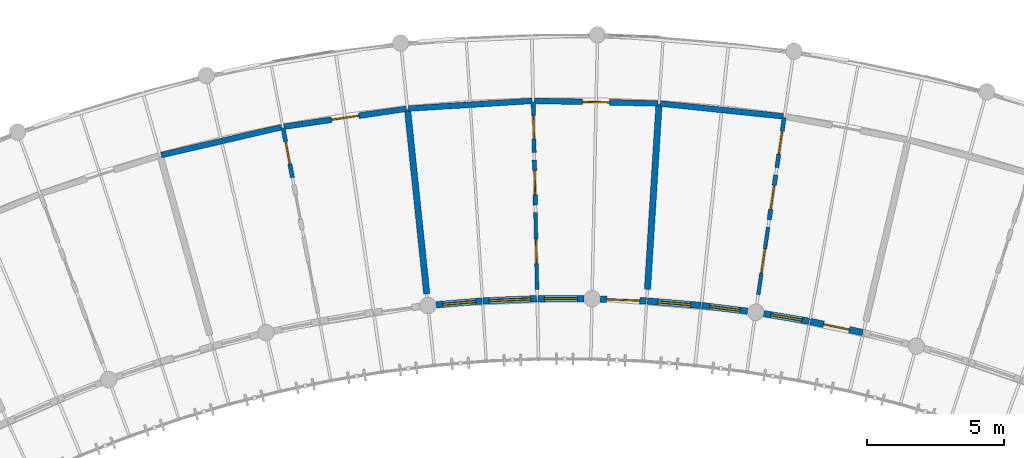
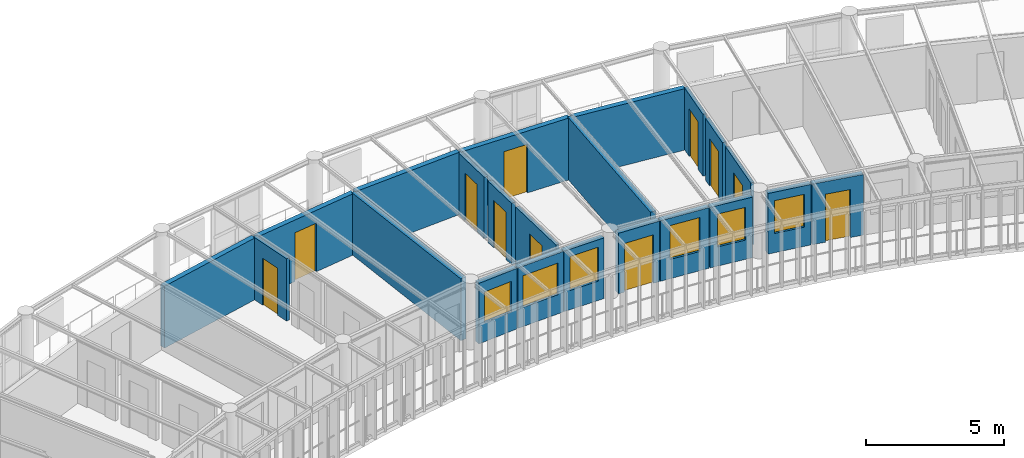
# One storey, part 74 of 101: 22 walls, 11 doors, 6 windows, 17 openings.
"""IFC4 building model written with IfcOpenShell, lengths in metres."""

import ifcopenshell
import ifcopenshell.guid

model = None  # the IFC model being written
_history = None  # IfcOwnerHistory: only IFC2X3 demands one
_inside = {}  # id of a spatial element -> (the spatial element, [elements in it])
_under = {}  # id of a project, library or spatial element -> (it, [spatial elements below it])
_declared = {}  # id of a project -> (the project, [libraries it declares])
_typed = {}  # id of a type object -> (the type object, [elements of that type])
_made_of = {}  # id of a material, layer set ... -> (it, [elements and type objects made of it])


def new_model(schema):
    """Start an empty IFC model of exactly this schema.

    Asked for "IFC4X3", IfcOpenShell would pick the latest addendum, in which some entities
    have other attributes; the version numbers below select the first issue.
    IFC2X3 requires an IfcOwnerHistory on every rooted entity: one is made here for all.
    """
    global model, _history
    if schema == "IFC4X3":
        model = ifcopenshell.file(schema_version=(4, 3, 0, 0))
    else:
        model = ifcopenshell.file(schema=schema)
    _inside.clear()
    _under.clear()
    _declared.clear()
    _typed.clear()
    _made_of.clear()
    _history = None
    if model.schema == "IFC2X3":
        org = make("IfcOrganization", Name="unknown")
        user = make(
            "IfcPersonAndOrganization",
            ThePerson=make("IfcPerson", FamilyName="unknown"),
            TheOrganization=org,
        )
        app = make(
            "IfcApplication",
            ApplicationDeveloper=org,
            Version="unknown",
            ApplicationFullName="unknown",
            ApplicationIdentifier="unknown",
        )
        _history = make(
            "IfcOwnerHistory",
            OwningUser=user,
            OwningApplication=app,
            ChangeAction="ADDED",
            CreationDate=0,
        )
    return model


def make(cls, **values):
    """One entity of the class cls with the attributes given. An attribute that is None is left unset."""
    return model.create_entity(
        cls, **{name: value for name, value in values.items() if value is not None}
    )


def rooted(cls, **values):
    """An entity with a GlobalId (a new one), such as an element, a storey or a relation."""
    return make(cls, GlobalId=ifcopenshell.guid.new(), OwnerHistory=_history, **values)


def si_unit(unit_type, name, prefix=None):
    """IfcSIUnit, for example si_unit("LENGTHUNIT", "METRE", prefix="MILLI")."""
    return make("IfcSIUnit", UnitType=unit_type, Prefix=prefix, Name=name)


def assignment(units):
    """IfcUnitAssignment: the units of a project."""
    return None if units is None else make("IfcUnitAssignment", Units=units)


def point(xyz):
    """IfcCartesianPoint."""
    return None if xyz is None else make("IfcCartesianPoint", Coordinates=xyz)


def direction(xyz):
    """IfcDirection."""
    return None if xyz is None else make("IfcDirection", DirectionRatios=xyz)


def frame(location, z_axis=None, x_axis=None):
    """IfcAxis2Placement3D, a coordinate frame: its origin and axes. An axis left out is left unset."""
    return make(
        "IfcAxis2Placement3D",
        Location=point(location),
        Axis=direction(z_axis),
        RefDirection=direction(x_axis),
    )


def frame_2d(location, x_axis=None):
    """IfcAxis2Placement2D, a coordinate frame in the plane: its origin and x axis."""
    return make(
        "IfcAxis2Placement2D", Location=point(location), RefDirection=direction(x_axis)
    )


def origin():
    """The frame at (0, 0, 0) with its axes left unset."""
    return frame((0.0, 0.0, 0.0))


def place(relative_to, where):
    """IfcLocalPlacement: puts the frame where relative to a parent placement (None: the world)."""
    return make(
        "IfcLocalPlacement", PlacementRelTo=relative_to, RelativePlacement=where
    )


def context(
    kind, dimensions, precision=None, world=None, true_north=None, identifier=None
):
    """IfcGeometricRepresentationContext, for example the 3D "Model" context."""
    return make(
        "IfcGeometricRepresentationContext",
        ContextIdentifier=identifier,
        ContextType=kind,
        CoordinateSpaceDimension=dimensions,
        Precision=precision,
        WorldCoordinateSystem=world,
        TrueNorth=true_north,
    )


def subcontext(parent, identifier, kind, view, scale=None):
    """IfcGeometricRepresentationSubContext, for example "Body" below "Model"."""
    return make(
        "IfcGeometricRepresentationSubContext",
        ContextIdentifier=identifier,
        ContextType=kind,
        ParentContext=parent,
        TargetScale=scale,
        TargetView=view,
    )


def project(units=None, contexts=None):
    """IfcProject with its units and contexts."""
    return rooted(
        "IfcProject",
        Name="project",
        RepresentationContexts=contexts,
        UnitsInContext=assignment(units),
    )


def spatial(cls, under=None, at=None, **own):
    """A site, building, storey or space (cls), placed at a placement, below another one or the project."""
    s = rooted(cls, ObjectPlacement=at, **own)
    if under is not None:
        _under.setdefault(under.id(), (under, []))[1].append(s)
    return s


def profile(cls, at=None, kind="AREA", **sizes):
    """A parametric profile (cls). Its sizes go by their IFC names, for example OverallWidth=200.0."""
    return make(cls, ProfileType=kind, Position=at, **sizes)


def rectangle(**sizes):
    """IfcRectangleProfileDef."""
    return profile("IfcRectangleProfileDef", **sizes)


def extrude(swept, where, along, depth):
    """IfcExtrudedAreaSolid: the profile swept, set in the frame where, extruded along a direction by depth."""
    return make(
        "IfcExtrudedAreaSolid",
        SweptArea=swept,
        Position=where,
        ExtrudedDirection=direction(along),
        Depth=depth,
    )


def shape(context_of_items, identifier, shape_type, items):
    """IfcShapeRepresentation: the items that make up one representation, for example the "Body"."""
    return make(
        "IfcShapeRepresentation",
        ContextOfItems=context_of_items,
        RepresentationIdentifier=identifier,
        RepresentationType=shape_type,
        Items=items,
    )


def material(Name=None, Category=None):
    """IfcMaterial."""
    return make("IfcMaterial", Name=Name, Category=Category)


def layer(
    of_material, thickness, ventilated=None, Name=None, Category=None, Priority=None
):
    """IfcMaterialLayer: one layer of a wall or slab, of a material (None: an air gap)."""
    return make(
        "IfcMaterialLayer",
        Material=of_material,
        LayerThickness=thickness,
        IsVentilated=ventilated,
        Name=Name,
        Category=Category,
        Priority=Priority,
    )


def layer_set(layers, Name=None):
    """IfcMaterialLayerSet."""
    return make("IfcMaterialLayerSet", MaterialLayers=layers, LayerSetName=Name)


def made_of(thing, what):
    """Note that an element or type object is made of a material, layer set ...; save() writes the relation."""
    if what is not None:
        _made_of.setdefault(what.id(), (what, []))[1].append(thing)
    return thing


def type_object(cls, material=None, **own):
    """A type object (cls), such as IfcWallType, which elements share."""
    return made_of(rooted(cls, **own), material)


def element(
    cls,
    number,
    at=None,
    inside=None,
    cuts=None,
    type_object=None,
    material=None,
    context=None,
    identifier="Body",
    shape_type=None,
    held_by="IfcProductDefinitionShape",
    body=None,
    shapes=None,
    **own,
):
    """One element of the class cls, such as IfcWall. Its Tag is "e" and its number.

    at: its placement. inside: the storey or other place that contains it. cuts: it is an
    opening in that element (IfcRelVoidsElement). A single representation is given by context,
    identifier, shape_type and body (its items); several are given by shapes. held_by: the class
    of the entity that holds the representations. save() writes the other relations.
    """
    e = rooted(cls, Tag="e%d" % number, ObjectPlacement=at, **own)
    if body is not None:
        shapes = [shape(context, identifier, shape_type, body)]
    if shapes is not None:
        e.Representation = make(held_by, Representations=shapes)
    if inside is not None:
        _inside.setdefault(inside.id(), (inside, []))[1].append(e)
    if cuts is not None:
        rooted(
            "IfcRelVoidsElement", RelatingBuildingElement=cuts, RelatedOpeningElement=e
        )
    if type_object is not None:
        _typed.setdefault(type_object.id(), (type_object, []))[1].append(e)
    return made_of(e, material)


def fill(opening, filler):
    """IfcRelFillsElement: the door or window that sits in an opening."""
    return rooted(
        "IfcRelFillsElement",
        RelatingOpeningElement=opening,
        RelatedBuildingElement=filler,
    )


def aggregate(whole, parts):
    """IfcRelAggregates: a whole, such as a stair, and the parts it consists of."""
    return rooted("IfcRelAggregates", RelatingObject=whole, RelatedObjects=parts)


def save(model, path):
    """Write the relations noted so far, then the file.

    IfcRelAggregates (storeys below a building ...), IfcRelContainedInSpatialStructure (elements
    in a storey), IfcRelDefinesByType, IfcRelAssociatesMaterial and IfcRelDeclares: one each for
    every whole, place, type object, material and project.
    """
    for whole, parts in _under.values():
        aggregate(whole, parts)
    for where, things in _inside.values():
        rooted(
            "IfcRelContainedInSpatialStructure",
            RelatedElements=things,
            RelatingStructure=where,
        )
    for kind, things in _typed.values():
        rooted("IfcRelDefinesByType", RelatedObjects=things, RelatingType=kind)
    for what, things in _made_of.values():
        rooted("IfcRelAssociatesMaterial", RelatedObjects=things, RelatingMaterial=what)
    for by, libraries in _declared.values():
        rooted("IfcRelDeclares", RelatingContext=by, RelatedDefinitions=libraries)
    model.write(path)


model = new_model("IFC4")

# Units and contexts
model_context = context("Model", 3, precision=1e-05, world=origin(), true_north=direction((0.0, 1.0)))
body_context = subcontext(model_context, "Body", "Model", "MODEL_VIEW")
ifc_project = project(units=[si_unit("LENGTHUNIT", "METRE"), si_unit("AREAUNIT", "SQUARE_METRE"), si_unit("VOLUMEUNIT", "CUBIC_METRE"), si_unit("PLANEANGLEUNIT", "RADIAN"), si_unit("MASSUNIT", "GRAM", prefix="KILO"), si_unit("POWERUNIT", "WATT"), si_unit("THERMODYNAMICTEMPERATUREUNIT", "KELVIN")], contexts=[model_context])

# Site, building, storey
site_placement = place(None, origin())
site = spatial("IfcSite", under=ifc_project, at=site_placement, CompositionType="ELEMENT")
building_placement = place(site_placement, origin())
building = spatial("IfcBuilding", under=site, at=building_placement, Name="Ruvembo Vaulted Housing Court", CompositionType="ELEMENT")
storey_placement = place(building_placement, frame((0.0, 0.0, 17.300048828125)))
storey = spatial("IfcBuildingStorey", under=building, at=storey_placement, Name="L05", CompositionType="ELEMENT", Elevation=17.300048828125)

# Wall
ifc_material_1 = material(Name="Concrete Blockwork 210", Category="masonry")
ifc_layer_1 = layer(ifc_material_1, 0.2099609375, Name="Concrete Blockwork 210")
ifc_layer_set_1 = layer_set([ifc_layer_1], Name="Concrete Blockwork 210")
wall_type_1 = type_object("IfcWallType", Name="WL-CORR-210", PredefinedType="SOLIDWALL", material=ifc_layer_set_1)
wall_1_placement = place(storey_placement, frame((102.324951171875, 103.2119140625, 0.0), z_axis=(0.0, 0.0, 1.0), x_axis=(0.974052809246, 0.226320844821, 0.0)))
element("IfcWall", 1, at=wall_1_placement, inside=storey, type_object=wall_type_1, Name="L05 Suite SC3-L05-U3 Gallery Wall WL-INT-L05-01660", PredefinedType="SOLIDWALL", context=body_context, shape_type="SweptSolid", body=[
    extrude(rectangle(XDim=4.50146484375, YDim=0.2099609375, at=frame_2d((2.250732421875, 0.0))), origin(), (0.0, 0.0, 1.0), 2.73388671875),
])

# Wall, opening, door
wall_2_placement = place(storey_placement, frame((106.7880859375, 104.24560546875, 0.0), z_axis=(0.0, 0.0, 1.0), x_axis=(0.98946769641, 0.14475385232, 0.0)))
wall_2 = element("IfcWall", 2, at=wall_2_placement, inside=storey, type_object=wall_type_1, Name="L05 Suite SC3-L05-U3 Entrance WL-INT-L05-01661", PredefinedType="SOLIDWALL", context=body_context, shape_type="SweptSolid", body=[
    extrude(rectangle(XDim=4.50146484375, YDim=0.2099609375, at=frame_2d((2.250732421875, 0.0))), origin(), (0.0, 0.0, 1.0), 2.7138671875),
])
opening_1_placement = place(wall_2_placement, frame((1.750732421875, 0.0, 0.0)))
opening_1 = element("IfcOpeningElement", 3, at=opening_1_placement, cuts=wall_2, Name="Opening FD1", PredefinedType="OPENING", context=body_context, shape_type="SweptSolid", body=[
    extrude(rectangle(XDim=1.0, YDim=2.14990234375, at=frame_2d((0.5, 1.074951171875))), frame((0.0, 0.114990234375, 0.0), z_axis=(0.0, -1.0, 0.0), x_axis=(1.0, 0.0, 0.0)), (0.0, 0.0, 1.0), 0.22998046875),
])
ifc_material_2 = material(Name="FSC Hardwood and Engineered Timber", Category="wood")
door_type_1 = type_object("IfcDoorType", Name="DR-FLAT-1000x2150", OperationType="NOTDEFINED", PredefinedType="DOOR", material=ifc_material_2)
door_1_placement = place(opening_1_placement, origin())
door_1 = element("IfcDoor", 4, at=door_1_placement, inside=storey, type_object=door_type_1, Name="L05 Suite SC3-L05-U3 Entrance Door DR-INT-L05-00939", OperationType="SINGLE_SWING_LEFT", OverallHeight=2.14990234375, OverallWidth=1.0, PredefinedType="DOOR", context=body_context, shape_type="SweptSolid", body=[
    extrude(rectangle(XDim=1.0, YDim=2.14990234375, at=frame_2d((0.5, 1.074951171875))), frame((0.0, 0.02490234375, 0.0), z_axis=(0.0, -1.0, 0.0), x_axis=(1.0, 0.0, 0.0)), (0.0, 0.0, 1.0), 0.050048828125),
])
fill(opening_1, door_1)

# Wall
wall_3_placement = place(storey_placement, frame((111.32177734375, 104.905517578125, 0.0), z_axis=(0.0, 0.0, 1.0), x_axis=(0.998063116084, 0.062209455176, 0.0)))
element("IfcWall", 5, at=wall_3_placement, inside=storey, type_object=wall_type_1, Name="L05 Suite SC3-L05-U4 Gallery Wall WL-INT-L05-01666", PredefinedType="SOLIDWALL", context=body_context, shape_type="SweptSolid", body=[
    extrude(rectangle(XDim=4.50146484375, YDim=0.2099609375, at=frame_2d((2.250732421875, 0.0))), origin(), (0.0, 0.0, 1.0), 2.75390625),
])

# Wall, opening, door
wall_4_placement = place(storey_placement, frame((115.894287109375, 105.187255859375, 0.0), z_axis=(0.0, 0.0, 1.0), x_axis=(0.999785356511, -0.020718129879, 0.0)))
wall_4 = element("IfcWall", 6, at=wall_4_placement, inside=storey, type_object=wall_type_1, Name="L05 Suite SC3-L05-U4 Entrance WL-INT-L05-01667", PredefinedType="SOLIDWALL", context=body_context, shape_type="SweptSolid", body=[
    extrude(rectangle(XDim=4.50146484375, YDim=0.2099609375, at=frame_2d((2.250732421875, 0.0))), origin(), (0.0, 0.0, 1.0), 2.73388671875),
])
opening_2_placement = place(wall_4_placement, frame((1.7607421875, 0.0, 0.0)))
opening_2 = element("IfcOpeningElement", 7, at=opening_2_placement, cuts=wall_4, Name="Opening FD2", PredefinedType="OPENING", context=body_context, shape_type="SweptSolid", body=[
    extrude(rectangle(XDim=0.97998046875, YDim=2.14990234375, at=frame_2d((0.489990234375, 1.074951171875))), frame((0.0, 0.114990234375, 0.0), z_axis=(0.0, -1.0, 0.0), x_axis=(1.0, 0.0, 0.0)), (0.0, 0.0, 1.0), 0.22998046875),
])
door_type_2 = type_object("IfcDoorType", Name="DR-FLAT-0980x2150", OperationType="NOTDEFINED", PredefinedType="DOOR", material=ifc_material_2)
door_2_placement = place(opening_2_placement, origin())
door_2 = element("IfcDoor", 8, at=door_2_placement, inside=storey, type_object=door_type_2, Name="L05 Suite SC3-L05-U4 Entrance Door DR-INT-L05-00943", OperationType="SINGLE_SWING_LEFT", OverallHeight=2.14990234375, OverallWidth=0.97998046875, PredefinedType="DOOR", context=body_context, shape_type="SweptSolid", body=[
    extrude(rectangle(XDim=0.97998046875, YDim=2.14990234375, at=frame_2d((0.489990234375, 1.074951171875))), frame((0.0, 0.02490234375, 0.0), z_axis=(0.0, -1.0, 0.0), x_axis=(1.0, 0.0, 0.0)), (0.0, 0.0, 1.0), 0.050048828125),
])
fill(opening_2, door_2)

# Walls
wall_5_placement = place(storey_placement, frame((120.474609375, 105.089111328125, 0.0), z_axis=(0.0, 0.0, 1.0), x_axis=(0.994614565886, -0.103642970468, 0.0)))
element("IfcWall", 9, at=wall_5_placement, inside=storey, type_object=wall_type_1, Name="L05 Suite SC3-L05-U5 Gallery Wall WL-INT-L05-01672", PredefinedType="SOLIDWALL", context=body_context, shape_type="SweptSolid", body=[
    extrude(rectangle(XDim=4.50146484375, YDim=0.2099609375, at=frame_2d((2.250732421875, 0.0))), origin(), (0.0, 0.0, 1.0), 2.7138671875),
])
ifc_material_3 = material(Name="Acoustic Masonry Demising 230", Category="masonry")
ifc_layer_2 = layer(ifc_material_3, 0.22998046875, Name="Acoustic Masonry Demising 230")
ifc_layer_set_2 = layer_set([ifc_layer_2], Name="Acoustic Masonry Demising 230")
wall_type_2 = type_object("IfcWallType", Name="WL-DEM-230", PredefinedType="SOLIDWALL", material=ifc_layer_set_2)
wall_6_placement = place(storey_placement, frame((111.98388671875, 98.16357421875, 0.0), z_axis=(0.0, 0.0, 1.0), x_axis=(-0.10362251791, 0.994616696915, 0.0)))
element("IfcWall", 10, at=wall_6_placement, inside=storey, type_object=wall_type_2, Name="L05 Suite SC3-L05-U3 Demising WL-INT-L05-01665", PredefinedType="SOLIDWALL", context=body_context, shape_type="SweptSolid", body=[
    extrude(rectangle(XDim=6.736083984375, YDim=0.22998046875, at=frame_2d((3.3681640625, 0.0))), origin(), (0.0, 0.0, 1.0), 2.73388671875),
])
wall_7_placement = place(storey_placement, frame((120.01318359375, 98.330078125, 0.0), z_axis=(0.0, 0.0, 1.0), x_axis=(0.062229364488, 0.998061874933, 0.0)))
element("IfcWall", 11, at=wall_7_placement, inside=storey, type_object=wall_type_2, Name="L05 Suite SC3-L05-U4 Demising WL-INT-L05-01671", PredefinedType="SOLIDWALL", context=body_context, shape_type="SweptSolid", body=[
    extrude(rectangle(XDim=6.736083984375, YDim=0.22998046875, at=frame_2d((3.3681640625, 0.0))), origin(), (0.0, 0.0, 1.0), 2.75390625),
])

# Wall, opening, window
ifc_material_4 = material(Name="Rendered Masonry 235", Category="masonry")
ifc_layer_3 = layer(ifc_material_4, 0.235107421875, Name="Rendered Masonry 235")
ifc_layer_set_3 = layer_set([ifc_layer_3], Name="Rendered Masonry 235")
wall_type_3 = type_object("IfcWallType", Name="WL-EXT-235", PredefinedType="STANDARD", material=ifc_layer_set_3)
wall_8_placement = place(storey_placement, frame((112.32666015625, 97.7666015625, 0.0), z_axis=(0.0, 0.0, 1.0), x_axis=(0.996556823189, 0.082912593463, 0.0)))
wall_8 = element("IfcWall", 12, at=wall_8_placement, inside=storey, type_object=wall_type_3, Name="Scoop SC3 L05 Concave Balcony Wall 12", PredefinedType="STANDARD", context=body_context, shape_type="SweptSolid", body=[
    extrude(rectangle(XDim=1.672607421875, YDim=0.235107421875, at=frame_2d((0.83642578125, 0.0))), origin(), (0.0, 0.0, 1.0), 2.676025390625),
])
opening_3_placement = place(wall_8_placement, frame((0.236083984375, 0.0, 0.85009765625)))
opening_3 = element("IfcOpeningElement", 13, at=opening_3_placement, cuts=wall_8, Name="Opening W12", PredefinedType="OPENING", context=body_context, shape_type="SweptSolid", body=[
    extrude(rectangle(XDim=1.199951171875, YDim=1.35009765625, at=frame_2d((0.60009765625, 0.675048828125))), frame((0.0, 0.12744140625, 0.0), z_axis=(0.0, -1.0, 0.0), x_axis=(1.0, 0.0, 0.0)), (0.0, 0.0, 1.0), 0.255126953125),
])
ifc_material_5 = material(Name="Double Solar-Control Glazing in Aluminium Frame", Category="aluminium")
window_type_1 = type_object("IfcWindowType", Name="WIN-1200x1350", PartitioningType="SINGLE_PANEL", PredefinedType="WINDOW", material=ifc_material_5)
window_1_placement = place(opening_3_placement, origin())
window_1 = element("IfcWindow", 14, at=window_1_placement, inside=storey, type_object=window_type_1, Name="Scoop SC3 L05 Concave Window 12", OverallHeight=1.35009765625, OverallWidth=1.199951171875, PartitioningType="SINGLE_PANEL", PredefinedType="WINDOW", context=body_context, shape_type="SweptSolid", body=[
    extrude(rectangle(XDim=1.199951171875, YDim=1.35009765625, at=frame_2d((0.60009765625, 0.675048828125))), frame((0.0, 0.030029296875, 0.0), z_axis=(0.0, -1.0, 0.0), x_axis=(1.0, 0.0, 0.0)), (0.0, 0.0, 1.0), 0.06005859375),
])
fill(opening_3, window_1)

wall_9_placement = place(storey_placement, frame((114.033203125, 97.90771484375, 0.0), z_axis=(0.0, 0.0, 1.0), x_axis=(0.999132639597, 0.041640947307, 0.0)))
wall_9 = element("IfcWall", 15, at=wall_9_placement, inside=storey, type_object=wall_type_3, Name="Scoop SC3 L05 Concave Balcony Wall 13", PredefinedType="STANDARD", context=body_context, shape_type="SweptSolid", body=[
    extrude(rectangle(XDim=1.952392578125, YDim=0.235107421875, at=frame_2d((0.97607421875, 0.0))), origin(), (0.0, 0.0, 1.0), 2.676025390625),
])
opening_4_placement = place(wall_9_placement, frame((0.22607421875, 0.0, 0.85009765625)))
opening_4 = element("IfcOpeningElement", 16, at=opening_4_placement, cuts=wall_9, Name="Opening W18", PredefinedType="OPENING", context=body_context, shape_type="SweptSolid", body=[
    extrude(rectangle(XDim=1.5, YDim=1.39990234375, at=frame_2d((0.75, 0.699951171875))), frame((0.0, 0.12744140625, 0.0), z_axis=(0.0, -1.0, 0.0), x_axis=(1.0, 0.0, 0.0)), (0.0, 0.0, 1.0), 0.255126953125),
])
window_type_2 = type_object("IfcWindowType", Name="WIN-1500x1400", PartitioningType="SINGLE_PANEL", PredefinedType="WINDOW", material=ifc_material_5)
window_2_placement = place(opening_4_placement, origin())
window_2 = element("IfcWindow", 17, at=window_2_placement, inside=storey, type_object=window_type_2, Name="Scoop SC3 L05 Concave Window 13", OverallHeight=1.39990234375, OverallWidth=1.5, PartitioningType="SINGLE_PANEL", PredefinedType="WINDOW", context=body_context, shape_type="SweptSolid", body=[
    extrude(rectangle(XDim=1.5, YDim=1.39990234375, at=frame_2d((0.75, 0.699951171875))), frame((0.0, 0.030029296875, 0.0), z_axis=(0.0, -1.0, 0.0), x_axis=(1.0, 0.0, 0.0)), (0.0, 0.0, 1.0), 0.06005859375),
])
fill(opening_4, window_2)

wall_10_placement = place(storey_placement, frame((116.023681640625, 97.98974609375, 0.0), z_axis=(0.0, 0.0, 1.0), x_axis=(1.0, 0.0, 0.0)))
wall_10 = element("IfcWall", 18, at=wall_10_placement, inside=storey, type_object=wall_type_3, Name="Scoop SC3 L05 Concave Balcony Wall 14", PredefinedType="STANDARD", context=body_context, shape_type="SweptSolid", body=[
    extrude(rectangle(XDim=1.672607421875, YDim=0.235107421875, at=frame_2d((0.83642578125, 0.0))), origin(), (0.0, 0.0, 1.0), 2.676025390625),
])
opening_5_placement = place(wall_10_placement, frame((0.236083984375, 0.0, 0.85009765625)))
opening_5 = element("IfcOpeningElement", 19, at=opening_5_placement, cuts=wall_10, Name="Opening W14", PredefinedType="OPENING", context=body_context, shape_type="SweptSolid", body=[
    extrude(rectangle(XDim=1.199951171875, YDim=1.5, at=frame_2d((0.60009765625, 0.75))), frame((0.0, 0.12744140625, 0.0), z_axis=(0.0, -1.0, 0.0), x_axis=(1.0, 0.0, 0.0)), (0.0, 0.0, 1.0), 0.255126953125),
])
window_type_3 = type_object("IfcWindowType", Name="WIN-1200x1500", PartitioningType="SINGLE_PANEL", PredefinedType="WINDOW", material=ifc_material_5)
window_3_placement = place(opening_5_placement, origin())
window_3 = element("IfcWindow", 20, at=window_3_placement, inside=storey, type_object=window_type_3, Name="Scoop SC3 L05 Concave Window 14", OverallHeight=1.5, OverallWidth=1.199951171875, PartitioningType="SINGLE_PANEL", PredefinedType="WINDOW", context=body_context, shape_type="SweptSolid", body=[
    extrude(rectangle(XDim=1.199951171875, YDim=1.5, at=frame_2d((0.60009765625, 0.75))), frame((0.0, 0.030029296875, 0.0), z_axis=(0.0, -1.0, 0.0), x_axis=(1.0, 0.0, 0.0)), (0.0, 0.0, 1.0), 0.06005859375),
])
fill(opening_5, window_3)

# Wall, opening, door
wall_11_placement = place(storey_placement, frame((118.2958984375, 97.977294921875, 0.0), z_axis=(0.0, 0.0, 1.0), x_axis=(0.999134084838, -0.041606255725, 0.0)))
wall_11 = element("IfcWall", 21, at=wall_11_placement, inside=storey, type_object=wall_type_3, Name="Scoop SC3 L05 Concave Balcony Wall 15", PredefinedType="STANDARD", context=body_context, shape_type="SweptSolid", body=[
    extrude(rectangle(XDim=1.67236328125, YDim=0.235107421875, at=frame_2d((0.836181640625, 0.0))), origin(), (0.0, 0.0, 1.0), 2.676025390625),
])
opening_6_placement = place(wall_11_placement, frame((0.236083984375, 0.0, 0.0)))
opening_6 = element("IfcOpeningElement", 22, at=opening_6_placement, cuts=wall_11, Name="Opening BD2", PredefinedType="OPENING", context=body_context, shape_type="SweptSolid", body=[
    extrude(rectangle(XDim=1.199951171875, YDim=2.14990234375, at=frame_2d((0.60009765625, 1.074951171875))), frame((0.0, 0.12744140625, 0.0), z_axis=(0.0, -1.0, 0.0), x_axis=(1.0, 0.0, 0.0)), (0.0, 0.0, 1.0), 0.255126953125),
])
ifc_material_6 = material(Name="Thermally Broken Glazed Aluminium", Category="aluminium")
door_type_3 = type_object("IfcDoorType", Name="DR-BAL-1200x2150", OperationType="NOTDEFINED", PredefinedType="DOOR", material=ifc_material_6)
door_3_placement = place(opening_6_placement, frame((1.199951171875, 0.0, 0.0), z_axis=(0.0, 0.0, 1.0), x_axis=(-1.0, 0.0, 0.0)))
door_3 = element("IfcDoor", 23, at=door_3_placement, inside=storey, type_object=door_type_3, Name="Scoop SC3 L05 Balcony Door 15", OperationType="SINGLE_SWING_RIGHT", OverallHeight=2.14990234375, OverallWidth=1.199951171875, PredefinedType="DOOR", context=body_context, shape_type="SweptSolid", body=[
    extrude(rectangle(XDim=1.199951171875, YDim=2.14990234375, at=frame_2d((0.60009765625, 1.074951171875))), frame((0.0, 0.02490234375, 0.0), z_axis=(0.0, -1.0, 0.0), x_axis=(1.0, 0.0, 0.0)), (0.0, 0.0, 1.0), 0.050048828125),
])
fill(opening_6, door_3)

# Wall, opening, window
wall_12_placement = place(storey_placement, frame((120.006591796875, 97.9052734375, 0.0), z_axis=(0.0, 0.0, 1.0), x_axis=(0.996557820409, -0.082900606641, 0.0)))
wall_12 = element("IfcWall", 24, at=wall_12_placement, inside=storey, type_object=wall_type_3, Name="Scoop SC3 L05 Concave Balcony Wall 16", PredefinedType="STANDARD", context=body_context, shape_type="SweptSolid", body=[
    extrude(rectangle(XDim=1.95263671875, YDim=0.235107421875, at=frame_2d((0.976318359375, 0.0))), origin(), (0.0, 0.0, 1.0), 2.676025390625),
])
opening_7_placement = place(wall_12_placement, frame((0.376220703125, 0.0, 0.85009765625)))
opening_7 = element("IfcOpeningElement", 25, at=opening_7_placement, cuts=wall_12, Name="Opening W14", PredefinedType="OPENING", context=body_context, shape_type="SweptSolid", body=[
    extrude(rectangle(XDim=1.199951171875, YDim=1.5, at=frame_2d((0.60009765625, 0.75))), frame((0.0, 0.12744140625, 0.0), z_axis=(0.0, -1.0, 0.0), x_axis=(1.0, 0.0, 0.0)), (0.0, 0.0, 1.0), 0.255126953125),
])
window_4_placement = place(opening_7_placement, origin())
window_4 = element("IfcWindow", 26, at=window_4_placement, inside=storey, type_object=window_type_3, Name="Scoop SC3 L05 Concave Window 16", OverallHeight=1.5, OverallWidth=1.199951171875, PartitioningType="SINGLE_PANEL", PredefinedType="WINDOW", context=body_context, shape_type="SweptSolid", body=[
    extrude(rectangle(XDim=1.199951171875, YDim=1.5, at=frame_2d((0.60009765625, 0.75))), frame((0.0, 0.030029296875, 0.0), z_axis=(0.0, -1.0, 0.0), x_axis=(1.0, 0.0, 0.0)), (0.0, 0.0, 1.0), 0.06005859375),
])
fill(opening_7, window_4)

wall_13_placement = place(storey_placement, frame((121.9921875, 97.7392578125, 0.0), z_axis=(0.0, 0.0, 1.0), x_axis=(0.992253152049, -0.124232371987, 0.0)))
wall_13 = element("IfcWall", 27, at=wall_13_placement, inside=storey, type_object=wall_type_3, Name="Scoop SC3 L05 Concave Balcony Wall 17", PredefinedType="STANDARD", context=body_context, shape_type="SweptSolid", body=[
    extrude(rectangle(XDim=1.67236328125, YDim=0.235107421875, at=frame_2d((0.836181640625, 0.0))), origin(), (0.0, 0.0, 1.0), 2.676025390625),
])
opening_8_placement = place(wall_13_placement, frame((0.2861328125, 0.0, 0.85009765625)))
opening_8 = element("IfcOpeningElement", 28, at=opening_8_placement, cuts=wall_13, Name="Opening W10", PredefinedType="OPENING", context=body_context, shape_type="SweptSolid", body=[
    extrude(rectangle(XDim=1.10009765625, YDim=1.449951171875, at=frame_2d((0.550048828125, 0.72509765625))), frame((0.0, 0.12744140625, 0.0), z_axis=(0.0, -1.0, 0.0), x_axis=(1.0, 0.0, 0.0)), (0.0, 0.0, 1.0), 0.255126953125),
])
window_type_4 = type_object("IfcWindowType", Name="WIN-1100x1450", PartitioningType="SINGLE_PANEL", PredefinedType="WINDOW", material=ifc_material_5)
window_5_placement = place(opening_8_placement, origin())
window_5 = element("IfcWindow", 29, at=window_5_placement, inside=storey, type_object=window_type_4, Name="Scoop SC3 L05 Concave Window 17", OverallHeight=1.449951171875, OverallWidth=1.10009765625, PartitioningType="SINGLE_PANEL", PredefinedType="WINDOW", context=body_context, shape_type="SweptSolid", body=[
    extrude(rectangle(XDim=1.10009765625, YDim=1.449951171875, at=frame_2d((0.550048828125, 0.72509765625))), frame((0.0, 0.030029296875, 0.0), z_axis=(0.0, -1.0, 0.0), x_axis=(1.0, 0.0, 0.0)), (0.0, 0.0, 1.0), 0.06005859375),
])
fill(opening_8, window_5)

wall_14_placement = place(storey_placement, frame((124.2451171875, 97.444580078125, 0.0), z_axis=(0.0, 0.0, 1.0), x_axis=(0.986251519559, -0.165251142709, 0.0)))
wall_14 = element("IfcWall", 30, at=wall_14_placement, inside=storey, type_object=wall_type_3, Name="Scoop SC3 L05 Concave Balcony Wall 18", PredefinedType="STANDARD", context=body_context, shape_type="SweptSolid", body=[
    extrude(rectangle(XDim=1.67236328125, YDim=0.235107421875, at=frame_2d((0.836181640625, 0.0))), origin(), (0.0, 0.0, 1.0), 2.676025390625),
])
opening_9_placement = place(wall_14_placement, frame((0.26123046875, 0.0, 0.85009765625)))
opening_9 = element("IfcOpeningElement", 31, at=opening_9_placement, cuts=wall_14, Name="Opening W11", PredefinedType="OPENING", context=body_context, shape_type="SweptSolid", body=[
    extrude(rectangle(XDim=1.14990234375, YDim=1.449951171875, at=frame_2d((0.574951171875, 0.72509765625))), frame((0.0, 0.12744140625, 0.0), z_axis=(0.0, -1.0, 0.0), x_axis=(1.0, 0.0, 0.0)), (0.0, 0.0, 1.0), 0.255126953125),
])
window_type_5 = type_object("IfcWindowType", Name="WIN-1150x1450", PartitioningType="SINGLE_PANEL", PredefinedType="WINDOW", material=ifc_material_5)
window_6_placement = place(opening_9_placement, origin())
window_6 = element("IfcWindow", 32, at=window_6_placement, inside=storey, type_object=window_type_5, Name="Scoop SC3 L05 Concave Window 18", OverallHeight=1.449951171875, OverallWidth=1.14990234375, PartitioningType="SINGLE_PANEL", PredefinedType="WINDOW", context=body_context, shape_type="SweptSolid", body=[
    extrude(rectangle(XDim=1.14990234375, YDim=1.449951171875, at=frame_2d((0.574951171875, 0.72509765625))), frame((0.0, 0.030029296875, 0.0), z_axis=(0.0, -1.0, 0.0), x_axis=(1.0, 0.0, 0.0)), (0.0, 0.0, 1.0), 0.06005859375),
])
fill(opening_9, window_6)

# Wall, opening, door
wall_15_placement = place(storey_placement, frame((125.933837890625, 97.160888671875, 0.0), z_axis=(0.0, 0.0, 1.0), x_axis=(0.978533860292, -0.206086108851, 0.0)))
wall_15 = element("IfcWall", 33, at=wall_15_placement, inside=storey, type_object=wall_type_3, Name="Scoop SC3 L05 Concave Balcony Wall 19", PredefinedType="STANDARD", context=body_context, shape_type="SweptSolid", body=[
    extrude(rectangle(XDim=1.952392578125, YDim=0.235107421875, at=frame_2d((0.97607421875, 0.0))), origin(), (0.0, 0.0, 1.0), 2.676025390625),
])
opening_10_placement = place(wall_15_placement, frame((0.501220703125, 0.0, 0.0)))
opening_10 = element("IfcOpeningElement", 34, at=opening_10_placement, cuts=wall_15, Name="Opening BD0", PredefinedType="OPENING", context=body_context, shape_type="SweptSolid", body=[
    extrude(rectangle(XDim=0.949951171875, YDim=2.1201171875, at=frame_2d((0.47509765625, 1.06005859375))), frame((0.0, 0.12744140625, 0.0), z_axis=(0.0, -1.0, 0.0), x_axis=(1.0, 0.0, 0.0)), (0.0, 0.0, 1.0), 0.255126953125),
])
door_type_4 = type_object("IfcDoorType", Name="DR-BAL-0950x2120", OperationType="NOTDEFINED", PredefinedType="DOOR", material=ifc_material_6)
door_4_placement = place(opening_10_placement, frame((0.949951171875, 0.0, 0.0), z_axis=(0.0, 0.0, 1.0), x_axis=(-1.0, 0.0, 0.0)))
door_4 = element("IfcDoor", 35, at=door_4_placement, inside=storey, type_object=door_type_4, Name="Scoop SC3 L05 Balcony Door 19", OperationType="SINGLE_SWING_LEFT", OverallHeight=2.1201171875, OverallWidth=0.949951171875, PredefinedType="DOOR", context=body_context, shape_type="SweptSolid", body=[
    extrude(rectangle(XDim=0.949951171875, YDim=2.1201171875, at=frame_2d((0.47509765625, 1.06005859375))), frame((0.0, 0.02490234375, 0.0), z_axis=(0.0, -1.0, 0.0), x_axis=(1.0, 0.0, 0.0)), (0.0, 0.0, 1.0), 0.050048828125),
])
fill(opening_10, door_4)

ifc_material_7 = material(Name="Acoustic Stud Partition 135", Category="gypsum")
ifc_layer_4 = layer(ifc_material_7, 0.135009765625, Name="Acoustic Stud Partition 135")
ifc_layer_set_4 = layer_set([ifc_layer_4], Name="Acoustic Stud Partition 135")
wall_type_4 = type_object("IfcWallType", Name="WL-PART-135", PredefinedType="PARTITIONING", material=ifc_layer_set_4)
wall_16_placement = place(storey_placement, frame((115.9970703125, 98.317626953125, 0.0), z_axis=(0.0, 0.0, 1.0), x_axis=(-0.02075255058, 0.999784642633, 0.0)))
wall_16 = element("IfcWall", 36, at=wall_16_placement, inside=storey, type_object=wall_type_4, Name="L05 Suite SC3-L05-U4 Bedroom WL-INT-L05-01668", PredefinedType="PARTITIONING", context=body_context, shape_type="SweptSolid", body=[
    extrude(rectangle(XDim=2.7998046875, YDim=0.135009765625, at=frame_2d((1.39990234375, 0.0))), origin(), (0.0, 0.0, 1.0), 2.7138671875),
])
opening_11_placement = place(wall_16_placement, frame((0.949951171875, 0.0, 0.0)))
opening_11 = element("IfcOpeningElement", 37, at=opening_11_placement, cuts=wall_16, Name="Opening ID1", PredefinedType="OPENING", context=body_context, shape_type="SweptSolid", body=[
    extrude(rectangle(XDim=0.89990234375, YDim=2.10009765625, at=frame_2d((0.449951171875, 1.050048828125))), frame((0.0, 0.077392578125, 0.0), z_axis=(0.0, -1.0, 0.0), x_axis=(1.0, 0.0, 0.0)), (0.0, 0.0, 1.0), 0.155029296875),
])
door_type_5 = type_object("IfcDoorType", Name="DR-ROOM-0900x2100", OperationType="NOTDEFINED", PredefinedType="DOOR", material=ifc_material_2)
door_5_placement = place(opening_11_placement, origin())
door_5 = element("IfcDoor", 38, at=door_5_placement, inside=storey, type_object=door_type_5, Name="L05 Suite SC3-L05-U4 Bedroom Door DR-INT-L05-00944", OperationType="SINGLE_SWING_RIGHT", OverallHeight=2.10009765625, OverallWidth=0.89990234375, PredefinedType="DOOR", context=body_context, shape_type="SweptSolid", body=[
    extrude(rectangle(XDim=0.89990234375, YDim=2.10009765625, at=frame_2d((0.449951171875, 1.050048828125))), frame((0.0, 0.02490234375, 0.0), z_axis=(0.0, -1.0, 0.0), x_axis=(1.0, 0.0, 0.0)), (0.0, 0.0, 1.0), 0.050048828125),
])
fill(opening_11, door_5)

wall_17_placement = place(storey_placement, frame((124.043212890625, 98.135498046875, 0.0), z_axis=(0.0, 0.0, 1.0), x_axis=(0.1447145522, 0.989473445011, 0.0)))
wall_17 = element("IfcWall", 39, at=wall_17_placement, inside=storey, type_object=wall_type_4, Name="L05 Suite SC3-L05-U5 Bedroom WL-INT-L05-01674", PredefinedType="PARTITIONING", context=body_context, shape_type="SweptSolid", body=[
    extrude(rectangle(XDim=2.47998046875, YDim=0.135009765625, at=frame_2d((1.239990234375, 0.0))), origin(), (0.0, 0.0, 1.0), 2.73388671875),
])
opening_12_placement = place(wall_17_placement, frame((0.7900390625, 0.0, 0.0)))
opening_12 = element("IfcOpeningElement", 40, at=opening_12_placement, cuts=wall_17, Name="Opening ID1", PredefinedType="OPENING", context=body_context, shape_type="SweptSolid", body=[
    extrude(rectangle(XDim=0.89990234375, YDim=2.10009765625, at=frame_2d((0.449951171875, 1.050048828125))), frame((0.0, 0.077392578125, 0.0), z_axis=(0.0, -1.0, 0.0), x_axis=(1.0, 0.0, 0.0)), (0.0, 0.0, 1.0), 0.155029296875),
])
door_6_placement = place(opening_12_placement, origin())
door_6 = element("IfcDoor", 41, at=door_6_placement, inside=storey, type_object=door_type_5, Name="L05 Suite SC3-L05-U5 Bedroom Door DR-INT-L05-00948", OperationType="SINGLE_SWING_RIGHT", OverallHeight=2.10009765625, OverallWidth=0.89990234375, PredefinedType="DOOR", context=body_context, shape_type="SweptSolid", body=[
    extrude(rectangle(XDim=0.89990234375, YDim=2.10009765625, at=frame_2d((0.449951171875, 1.050048828125))), frame((0.0, 0.02490234375, 0.0), z_axis=(0.0, -1.0, 0.0), x_axis=(1.0, 0.0, 0.0)), (0.0, 0.0, 1.0), 0.050048828125),
])
fill(opening_12, door_6)

ifc_material_8 = material(Name="Moisture-Resistant Wet Partition 150", Category="gypsum")
ifc_layer_5 = layer(ifc_material_8, 0.14990234375, Name="Moisture-Resistant Wet Partition 150")
ifc_layer_set_5 = layer_set([ifc_layer_5], Name="Moisture-Resistant Wet Partition 150")
wall_type_5 = type_object("IfcWallType", Name="WL-PART-150", PredefinedType="PARTITIONING", material=ifc_layer_set_5)
wall_18_placement = place(storey_placement, frame((107.097900390625, 102.392333984375, 0.0), z_axis=(0.0, 0.0, 1.0), x_axis=(-0.185746265255, 0.982597743201, 0.0)))
wall_18 = element("IfcWall", 42, at=wall_18_placement, inside=storey, type_object=wall_type_5, Name="L05 Suite SC3-L05-U3 Bathroom WL-INT-L05-01664", PredefinedType="PARTITIONING", context=body_context, shape_type="SweptSolid", body=[
    extrude(rectangle(XDim=1.840087890625, YDim=0.14990234375, at=frame_2d((0.919921875, 0.0))), origin(), (0.0, 0.0, 1.0), 2.75390625),
])
opening_13_placement = place(wall_18_placement, frame((0.510009765625, 0.0, 0.0)))
opening_13 = element("IfcOpeningElement", 43, at=opening_13_placement, cuts=wall_18, Name="Opening ID4", PredefinedType="OPENING", context=body_context, shape_type="SweptSolid", body=[
    extrude(rectangle(XDim=0.820068359375, YDim=2.080078125, at=frame_2d((0.41015625, 1.0400390625))), frame((0.0, 0.0849609375, 0.0), z_axis=(0.0, -1.0, 0.0), x_axis=(1.0, 0.0, 0.0)), (0.0, 0.0, 1.0), 0.169921875),
])
door_type_6 = type_object("IfcDoorType", Name="DR-WET-0820x2080", OperationType="NOTDEFINED", PredefinedType="DOOR", material=ifc_material_2)
door_7_placement = place(opening_13_placement, origin())
door_7 = element("IfcDoor", 44, at=door_7_placement, inside=storey, type_object=door_type_6, Name="L05 Suite SC3-L05-U3 Bathroom Door DR-INT-L05-00942", OperationType="SINGLE_SWING_RIGHT", OverallHeight=2.080078125, OverallWidth=0.820068359375, PredefinedType="DOOR", context=body_context, shape_type="SweptSolid", body=[
    extrude(rectangle(XDim=0.820068359375, YDim=2.080078125, at=frame_2d((0.41015625, 1.0400390625))), frame((0.0, 0.02490234375, 0.0), z_axis=(0.0, -1.0, 0.0), x_axis=(1.0, 0.0, 0.0)), (0.0, 0.0, 1.0), 0.050048828125),
])
fill(opening_13, door_7)

wall_19_placement = place(storey_placement, frame((115.893310546875, 103.30859375, 0.0), z_axis=(0.0, 0.0, 1.0), x_axis=(-0.020698948586, 0.999785753813, 0.0)))
wall_19 = element("IfcWall", 45, at=wall_19_placement, inside=storey, type_object=wall_type_5, Name="L05 Suite SC3-L05-U4 Bathroom WL-INT-L05-01670", PredefinedType="PARTITIONING", context=body_context, shape_type="SweptSolid", body=[
    extrude(rectangle(XDim=1.840087890625, YDim=0.14990234375, at=frame_2d((0.919921875, 0.0))), origin(), (0.0, 0.0, 1.0), 2.7138671875),
])
opening_14_placement = place(wall_19_placement, frame((0.4951171875, 0.0, 0.0)))
opening_14 = element("IfcOpeningElement", 46, at=opening_14_placement, cuts=wall_19, Name="Opening ID2", PredefinedType="OPENING", context=body_context, shape_type="SweptSolid", body=[
    extrude(rectangle(XDim=0.85009765625, YDim=2.10009765625, at=frame_2d((0.425048828125, 1.050048828125))), frame((0.0, 0.0849609375, 0.0), z_axis=(0.0, -1.0, 0.0), x_axis=(1.0, 0.0, 0.0)), (0.0, 0.0, 1.0), 0.169921875),
])
door_type_7 = type_object("IfcDoorType", Name="DR-WET-0850x2100", OperationType="NOTDEFINED", PredefinedType="DOOR", material=ifc_material_2)
door_8_placement = place(opening_14_placement, origin())
door_8 = element("IfcDoor", 47, at=door_8_placement, inside=storey, type_object=door_type_7, Name="L05 Suite SC3-L05-U4 Bathroom Door DR-INT-L05-00946", OperationType="SINGLE_SWING_RIGHT", OverallHeight=2.10009765625, OverallWidth=0.85009765625, PredefinedType="DOOR", context=body_context, shape_type="SweptSolid", body=[
    extrude(rectangle(XDim=0.85009765625, YDim=2.10009765625, at=frame_2d((0.425048828125, 1.050048828125))), frame((0.0, 0.02490234375, 0.0), z_axis=(0.0, -1.0, 0.0), x_axis=(1.0, 0.0, 0.0)), (0.0, 0.0, 1.0), 0.050048828125),
])
fill(opening_14, door_8)

wall_20_placement = place(storey_placement, frame((124.719482421875, 102.75830078125, 0.0), z_axis=(0.0, 0.0, 1.0), x_axis=(0.144764326796, 0.989466163993, 0.0)))
wall_20 = element("IfcWall", 48, at=wall_20_placement, inside=storey, type_object=wall_type_5, Name="L05 Suite SC3-L05-U5 Bathroom WL-INT-L05-01676", PredefinedType="PARTITIONING", context=body_context, shape_type="SweptSolid", body=[
    extrude(rectangle(XDim=1.83984375, YDim=0.14990234375, at=frame_2d((0.919921875, 0.0))), origin(), (0.0, 0.0, 1.0), 2.73388671875),
])
opening_15_placement = place(wall_20_placement, frame((0.4951171875, 0.0, 0.0)))
opening_15 = element("IfcOpeningElement", 49, at=opening_15_placement, cuts=wall_20, Name="Opening ID2", PredefinedType="OPENING", context=body_context, shape_type="SweptSolid", body=[
    extrude(rectangle(XDim=0.85009765625, YDim=2.10009765625, at=frame_2d((0.425048828125, 1.050048828125))), frame((0.0, 0.0849609375, 0.0), z_axis=(0.0, -1.0, 0.0), x_axis=(1.0, 0.0, 0.0)), (0.0, 0.0, 1.0), 0.169921875),
])
door_9_placement = place(opening_15_placement, origin())
door_9 = element("IfcDoor", 50, at=door_9_placement, inside=storey, type_object=door_type_7, Name="L05 Suite SC3-L05-U5 Bathroom Door DR-INT-L05-00950", OperationType="SINGLE_SWING_RIGHT", OverallHeight=2.10009765625, OverallWidth=0.85009765625, PredefinedType="DOOR", context=body_context, shape_type="SweptSolid", body=[
    extrude(rectangle(XDim=0.85009765625, YDim=2.10009765625, at=frame_2d((0.425048828125, 1.050048828125))), frame((0.0, 0.02490234375, 0.0), z_axis=(0.0, -1.0, 0.0), x_axis=(1.0, 0.0, 0.0)), (0.0, 0.0, 1.0), 0.050048828125),
])
fill(opening_15, door_9)

ifc_material_9 = material(Name="Acoustic Service Chase Wall 160", Category="gypsum")
ifc_layer_6 = layer(ifc_material_9, 0.159912109375, Name="Acoustic Service Chase Wall 160")
ifc_layer_set_6 = layer_set([ifc_layer_6], Name="Acoustic Service Chase Wall 160")
wall_type_6 = type_object("IfcWallType", Name="WL-PLUMB-160", PredefinedType="PLUMBINGWALL", material=ifc_layer_set_6)
wall_21_placement = place(storey_placement, frame((115.933349609375, 101.388916015625, 0.0), z_axis=(0.0, 0.0, 1.0), x_axis=(-0.020887426075, 0.999781833918, 0.0)))
wall_21 = element("IfcWall", 51, at=wall_21_placement, inside=storey, type_object=wall_type_6, Name="L05 Suite SC3-L05-U4 Kitchen WL-INT-L05-01669", PredefinedType="PLUMBINGWALL", context=body_context, shape_type="SweptSolid", body=[
    extrude(rectangle(XDim=1.64794921875, YDim=0.159912109375, at=frame_2d((0.823974609375, 0.0))), origin(), (0.0, 0.0, 1.0), 2.7138671875),
])
opening_16_placement = place(wall_21_placement, frame((0.384033203125, 0.0, 0.0)))
opening_16 = element("IfcOpeningElement", 52, at=opening_16_placement, cuts=wall_21, Name="Opening ID3", PredefinedType="OPENING", context=body_context, shape_type="SweptSolid", body=[
    extrude(rectangle(XDim=0.8798828125, YDim=2.10009765625, at=frame_2d((0.43994140625, 1.050048828125))), frame((0.0, 0.08984375, 0.0), z_axis=(0.0, -1.0, 0.0), x_axis=(1.0, 0.0, 0.0)), (0.0, 0.0, 1.0), 0.179931640625),
])
door_type_8 = type_object("IfcDoorType", Name="DR-ROOM-0880x2100", OperationType="NOTDEFINED", PredefinedType="DOOR", material=ifc_material_2)
door_10_placement = place(opening_16_placement, origin())
door_10 = element("IfcDoor", 53, at=door_10_placement, inside=storey, type_object=door_type_8, Name="L05 Suite SC3-L05-U4 Kitchen Door DR-INT-L05-00945", OperationType="SINGLE_SWING_LEFT", OverallHeight=2.10009765625, OverallWidth=0.8798828125, PredefinedType="DOOR", context=body_context, shape_type="SweptSolid", body=[
    extrude(rectangle(XDim=0.8798828125, YDim=2.10009765625, at=frame_2d((0.43994140625, 1.050048828125))), frame((0.0, 0.02490234375, 0.0), z_axis=(0.0, -1.0, 0.0), x_axis=(1.0, 0.0, 0.0)), (0.0, 0.0, 1.0), 0.050048828125),
])
fill(opening_16, door_10)

wall_22_placement = place(storey_placement, frame((124.44140625, 100.8583984375, 0.0), z_axis=(0.0, 0.0, 1.0), x_axis=(0.144884079374, 0.989448636132, 0.0)))
wall_22 = element("IfcWall", 54, at=wall_22_placement, inside=storey, type_object=wall_type_6, Name="L05 Suite SC3-L05-U5 Kitchen WL-INT-L05-01675", PredefinedType="PLUMBINGWALL", context=body_context, shape_type="SweptSolid", body=[
    extrude(rectangle(XDim=1.64794921875, YDim=0.159912109375, at=frame_2d((0.823974609375, 0.0))), origin(), (0.0, 0.0, 1.0), 2.73388671875),
])
opening_17_placement = place(wall_22_placement, frame((0.384033203125, 0.0, 0.0)))
opening_17 = element("IfcOpeningElement", 55, at=opening_17_placement, cuts=wall_22, Name="Opening ID3", PredefinedType="OPENING", context=body_context, shape_type="SweptSolid", body=[
    extrude(rectangle(XDim=0.8798828125, YDim=2.10009765625, at=frame_2d((0.43994140625, 1.050048828125))), frame((0.0, 0.08984375, 0.0), z_axis=(0.0, -1.0, 0.0), x_axis=(1.0, 0.0, 0.0)), (0.0, 0.0, 1.0), 0.179931640625),
])
door_11_placement = place(opening_17_placement, origin())
door_11 = element("IfcDoor", 56, at=door_11_placement, inside=storey, type_object=door_type_8, Name="L05 Suite SC3-L05-U5 Kitchen Door DR-INT-L05-00949", OperationType="SINGLE_SWING_LEFT", OverallHeight=2.10009765625, OverallWidth=0.8798828125, PredefinedType="DOOR", context=body_context, shape_type="SweptSolid", body=[
    extrude(rectangle(XDim=0.8798828125, YDim=2.10009765625, at=frame_2d((0.43994140625, 1.050048828125))), frame((0.0, 0.02490234375, 0.0), z_axis=(0.0, -1.0, 0.0), x_axis=(1.0, 0.0, 0.0)), (0.0, 0.0, 1.0), 0.050048828125),
])
fill(opening_17, door_11)

save(model, "model.ifc")
